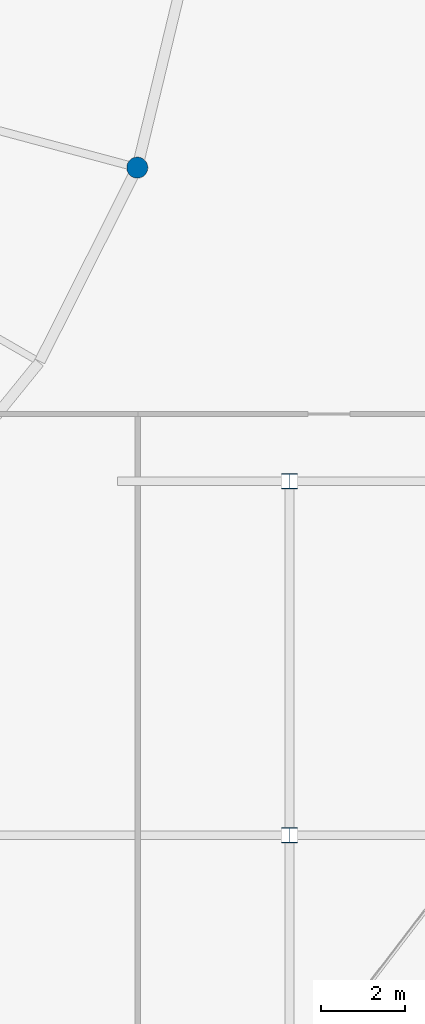
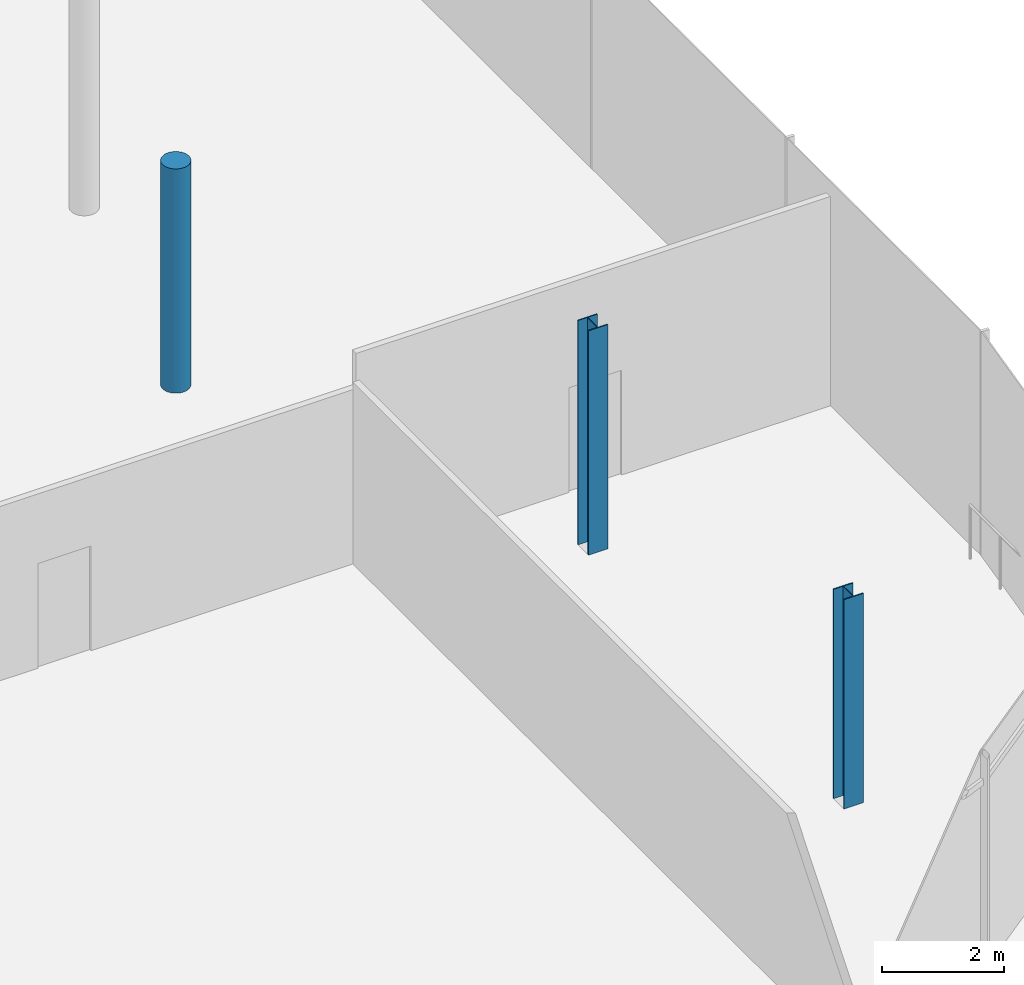
# One storey, part 6 of 52: 3 columns.
"""IFC4 building model written with IfcOpenShell, lengths in metres."""

from ifc_helpers import new_model, si_unit, direction, frame, origin, origin_2d, place, context, subcontext, project, spatial, circle, i_section, extrude, material, material_profile, profile_set, type_object, element, save


model = new_model("IFC4")

# Units and contexts
model_context = context("Model", 3, precision=1e-05, world=origin(), true_north=direction((0.0, 1.0)))
body_context = subcontext(model_context, "Body", "Model", "MODEL_VIEW")
ifc_project = project(units=[si_unit("LENGTHUNIT", "METRE"), si_unit("AREAUNIT", "SQUARE_METRE"), si_unit("VOLUMEUNIT", "CUBIC_METRE"), si_unit("PLANEANGLEUNIT", "RADIAN"), si_unit("MASSUNIT", "GRAM", prefix="KILO")], contexts=[model_context])

# Site, building, storey
site_placement = place(None, origin())
site = spatial("IfcSite", under=ifc_project, at=site_placement, CompositionType="ELEMENT")
building_placement = place(site_placement, origin())
building = spatial("IfcBuilding", under=site, at=building_placement, Name="Rimbun Link Towers", CompositionType="ELEMENT")
storey_placement = place(building_placement, frame((0.0, 0.0, 21.0)))
storey = spatial("IfcBuildingStorey", under=building, at=storey_placement, Name="L04", CompositionType="ELEMENT", Elevation=21.0)

# Columns
ifc_material_1 = material(Name="Concrete C80/95", Category="concrete")
ifc_material_profile_1 = material_profile(ifc_material_1, circle(Radius=0.25, at=origin_2d()), Name="RC D500")
ifc_profile_set_1 = profile_set([ifc_material_profile_1], Name="Concrete C80/95")
column_type_1 = type_object("IfcColumnType", Name="RC D500", PredefinedType="COLUMN", material=ifc_profile_set_1)
column_1_placement = place(storey_placement, frame((50.98828125, -5.15478515625, 0.0), z_axis=(0.0, 0.0, 1.0), x_axis=(1.0, 0.0, 0.0)))
element("IfcColumn", 1, at=column_1_placement, inside=storey, type_object=column_type_1, Name="Recess post T2 L04 20", PredefinedType="COLUMN", context=body_context, shape_type="SweptSolid", body=[
    extrude(circle(Radius=0.25, at=origin_2d()), origin(), (0.0, 0.0, 1.0), 4.5),
])
ifc_material_2 = material(Name="Steel S355J2", Category="steel")
ifc_material_profile_2 = material_profile(ifc_material_2, i_section(OverallWidth=0.37060546875, OverallDepth=0.362060546875, WebThickness=0.01220703125, FlangeThickness=0.020751953125, at=origin_2d()), Name="UC 356x368x153")
ifc_profile_set_2 = profile_set([ifc_material_profile_2], Name="Steel S355J2")
column_type_2 = type_object("IfcColumnType", Name="UC 356x368x153", PredefinedType="COLUMN", material=ifc_profile_set_2)
column_2_placement = place(storey_placement, frame((54.60009765625, -21.0, 0.0), z_axis=(0.0, 0.0, 1.0), x_axis=(1.0, 0.0, 0.0)))
element("IfcColumn", 2, at=column_2_placement, inside=storey, type_object=column_type_2, Name="Column L04 +54.6 -21.0", PredefinedType="COLUMN", context=body_context, shape_type="SweptSolid", body=[
    extrude(i_section(OverallWidth=0.37060546875, OverallDepth=0.362060546875, WebThickness=0.01220703125, FlangeThickness=0.020751953125, at=origin_2d()), origin(), (0.0, 0.0, 1.0), 4.199951171875),
])
column_3_placement = place(storey_placement, frame((54.60009765625, -12.60009765625, 0.0), z_axis=(0.0, 0.0, 1.0), x_axis=(1.0, 0.0, 0.0)))
element("IfcColumn", 3, at=column_3_placement, inside=storey, type_object=column_type_2, Name="Column L04 +54.6 -12.6", PredefinedType="COLUMN", context=body_context, shape_type="SweptSolid", body=[
    extrude(i_section(OverallWidth=0.37060546875, OverallDepth=0.362060546875, WebThickness=0.01220703125, FlangeThickness=0.020751953125, at=origin_2d()), origin(), (0.0, 0.0, 1.0), 4.5),
])

save(model, "model.ifc")
